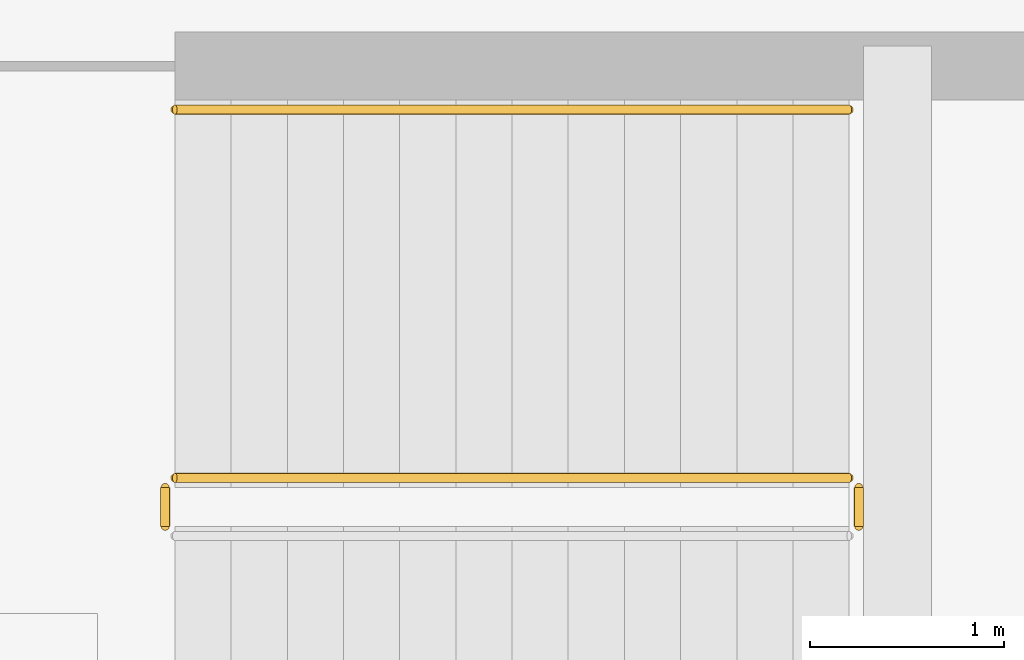
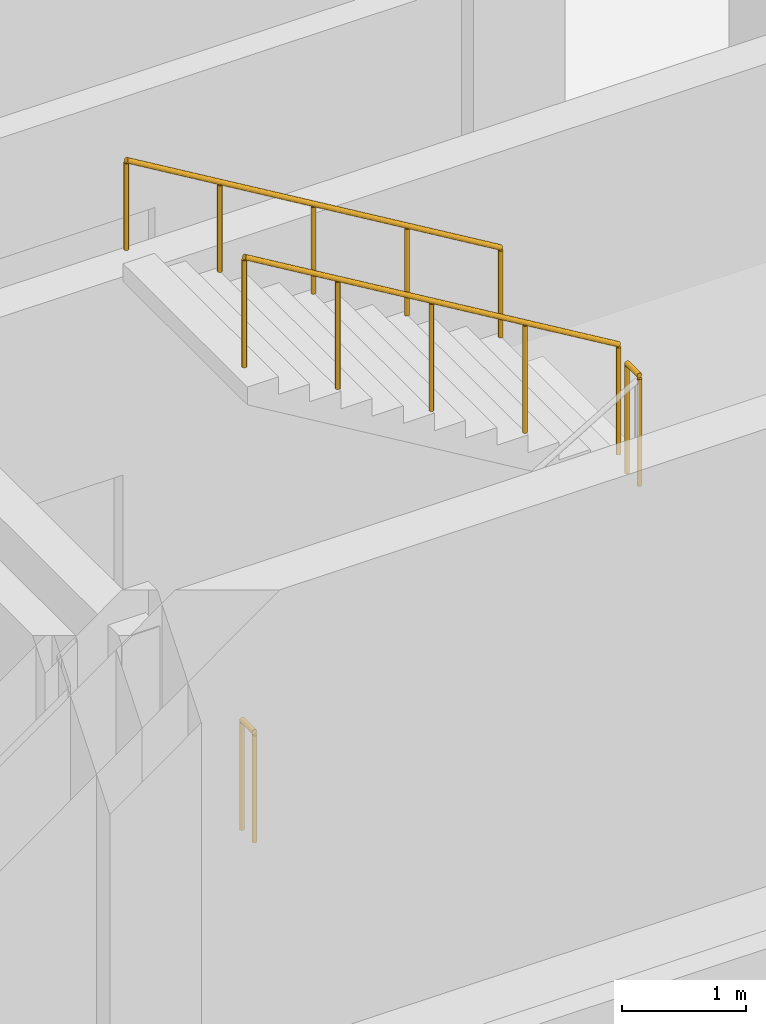
# One storey, part 22 of 26: 4 railings.
"""IFC4 building model written with IfcOpenShell, lengths in metres."""

from ifc_helpers import new_model, si_unit, direction, frame, origin, origin_2d, place, context, subcontext, project, spatial, circle, extrude, material, type_object, element, save


model = new_model("IFC4")

# Units and contexts
model_context = context("Model", 3, precision=1e-05, world=origin(), true_north=direction((0.0, 1.0)))
body_context = subcontext(model_context, "Body", "Model", "MODEL_VIEW")
ifc_project = project(units=[si_unit("LENGTHUNIT", "METRE"), si_unit("AREAUNIT", "SQUARE_METRE"), si_unit("VOLUMEUNIT", "CUBIC_METRE"), si_unit("PLANEANGLEUNIT", "RADIAN"), si_unit("MASSUNIT", "GRAM", prefix="KILO")], contexts=[model_context])

# Site, building, storey
site_placement = place(None, origin())
site = spatial("IfcSite", under=ifc_project, at=site_placement, CompositionType="ELEMENT")
building_placement = place(site_placement, origin())
building = spatial("IfcBuilding", under=site, at=building_placement, Name="Qorikala Patio Media Centre", CompositionType="ELEMENT")
storey_placement = place(building_placement, frame((0.0, 0.0, -4.5)))
storey = spatial("IfcBuildingStorey", under=building, at=storey_placement, Name="B1", CompositionType="ELEMENT", Elevation=-4.5)

# Railings
ifc_material_1 = material(Name="Wrought Bronze and Steel S355", Category="steel")
railing_type_1 = type_object("IfcRailingType", Name="RL-GUARD-110", PredefinedType="GUARDRAIL", material=ifc_material_1)
railing_1_placement = place(storey_placement, frame((88.1298828125, 5.39990234375, 2.25)))
element("IfcRailing", 1, at=railing_1_placement, inside=storey, type_object=railing_type_1, Name="B1 ST-4 stair guard 2", PredefinedType="GUARDRAIL", context=body_context, shape_type="SweptSolid", body=[
    extrude(circle(Radius=0.02392578125, at=origin_2d()), frame((0.0, 0.0, 1.076171875), z_axis=(0.0, 1.0, 0.0), x_axis=(-1.0, 0.0, 0.0)), (0.0, 0.0, 1.0), 0.2001953125),
    extrude(circle(Radius=0.02099609375, at=origin_2d()), origin(), (0.0, 0.0, 1.0), 1.052001953125),
    extrude(circle(Radius=0.02099609375, at=origin_2d()), frame((0.0, 0.2001953125, 0.0)), (0.0, 0.0, 1.0), 1.052001953125),
])
railing_2_placement = place(storey_placement, frame((88.080078125, 5.64990234375, 2.423095703125)))
element("IfcRailing", 2, at=railing_2_placement, inside=storey, type_object=railing_type_1, Name="B1 ST-4 stair guard 3", PredefinedType="GUARDRAIL", context=body_context, shape_type="SweptSolid", body=[
    extrude(circle(Radius=0.02392578125, at=origin_2d()), frame((0.0, 0.0, 1.076171875), z_axis=(-0.858697190188, 0.0, 0.512483302717), x_axis=(0.0, -1.0, 0.0)), (0.0, 0.0, 1.0), 4.052734375),
    extrude(circle(Radius=0.02099609375, at=origin_2d()), origin(), (0.0, 0.0, 1.0), 1.052001953125),
    extrude(circle(Radius=0.02099609375, at=origin_2d()), frame((-0.8701171875, 0.0, 0.519287109375)), (0.0, 0.0, 1.0), 1.052001953125),
    extrude(circle(Radius=0.02099609375, at=origin_2d()), frame((-1.739990234375, 0.0, 1.03857421875)), (0.0, 0.0, 1.0), 1.052001953125),
    extrude(circle(Radius=0.02099609375, at=origin_2d()), frame((-2.60986328125, 0.0, 1.5576171875)), (0.0, 0.0, 1.0), 1.052001953125),
    extrude(circle(Radius=0.02099609375, at=origin_2d()), frame((-3.47998046875, 0.0, 2.076904296875)), (0.0, 0.0, 1.0), 1.052001953125),
])
railing_3_placement = place(storey_placement, frame((84.550048828125, 5.39990234375, 0.0)))
element("IfcRailing", 3, at=railing_3_placement, inside=storey, type_object=railing_type_1, Name="B1 ST-4 stair guard 4", PredefinedType="GUARDRAIL", context=body_context, shape_type="SweptSolid", body=[
    extrude(circle(Radius=0.02392578125, at=origin_2d()), frame((0.0, 0.0, 1.076171875), z_axis=(0.0, 1.0, 0.0), x_axis=(-1.0, 0.0, 0.0)), (0.0, 0.0, 1.0), 0.2001953125),
    extrude(circle(Radius=0.02099609375, at=origin_2d()), origin(), (0.0, 0.0, 1.0), 1.052001953125),
    extrude(circle(Radius=0.02099609375, at=origin_2d()), frame((0.0, 0.2001953125, 0.0)), (0.0, 0.0, 1.0), 1.052001953125),
])
ifc_material_2 = material(Name="Brushed Bronze Tubular Steel S355", Category="steel")
railing_type_2 = type_object("IfcRailingType", Name="RL-HAND-090", PredefinedType="HANDRAIL", material=ifc_material_2)
railing_4_placement = place(storey_placement, frame((88.080078125, 7.550048828125, 2.423095703125)))
element("IfcRailing", 4, at=railing_4_placement, inside=storey, type_object=railing_type_2, Name="B1 ST-4 stair handrail 2", PredefinedType="HANDRAIL", context=body_context, shape_type="SweptSolid", body=[
    extrude(circle(Radius=0.02392578125, at=origin_2d()), frame((0.0, 0.0, 0.8759765625), z_axis=(-0.858697190188, 0.0, 0.512483302717), x_axis=(0.0, -1.0, 0.0)), (0.0, 0.0, 1.0), 4.052734375),
    extrude(circle(Radius=0.02099609375, at=origin_2d()), origin(), (0.0, 0.0, 1.0), 0.851806640625),
    extrude(circle(Radius=0.02099609375, at=origin_2d()), frame((-0.8701171875, 0.0, 0.519287109375)), (0.0, 0.0, 1.0), 0.851806640625),
    extrude(circle(Radius=0.02099609375, at=origin_2d()), frame((-1.739990234375, 0.0, 1.03857421875)), (0.0, 0.0, 1.0), 0.851806640625),
    extrude(circle(Radius=0.02099609375, at=origin_2d()), frame((-2.60986328125, 0.0, 1.5576171875)), (0.0, 0.0, 1.0), 0.851806640625),
    extrude(circle(Radius=0.02099609375, at=origin_2d()), frame((-3.47998046875, 0.0, 2.076904296875)), (0.0, 0.0, 1.0), 0.851806640625),
])

save(model, "model.ifc")
